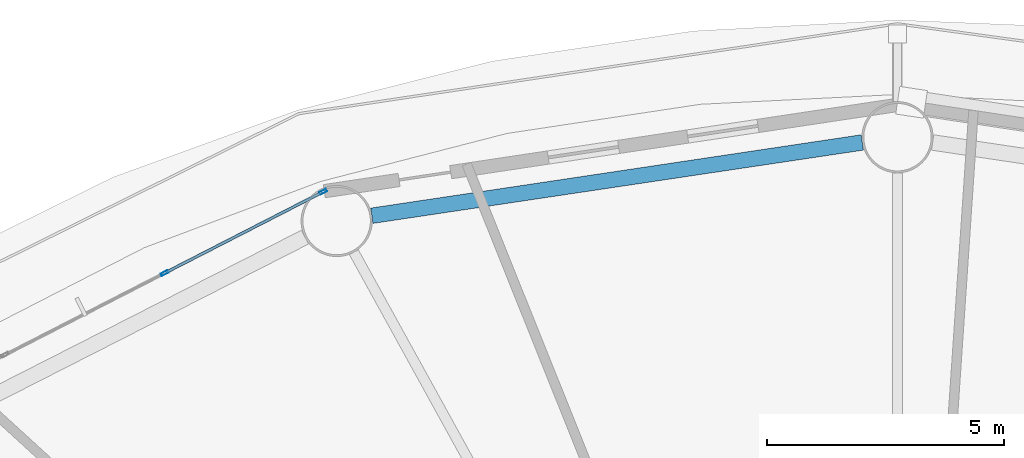
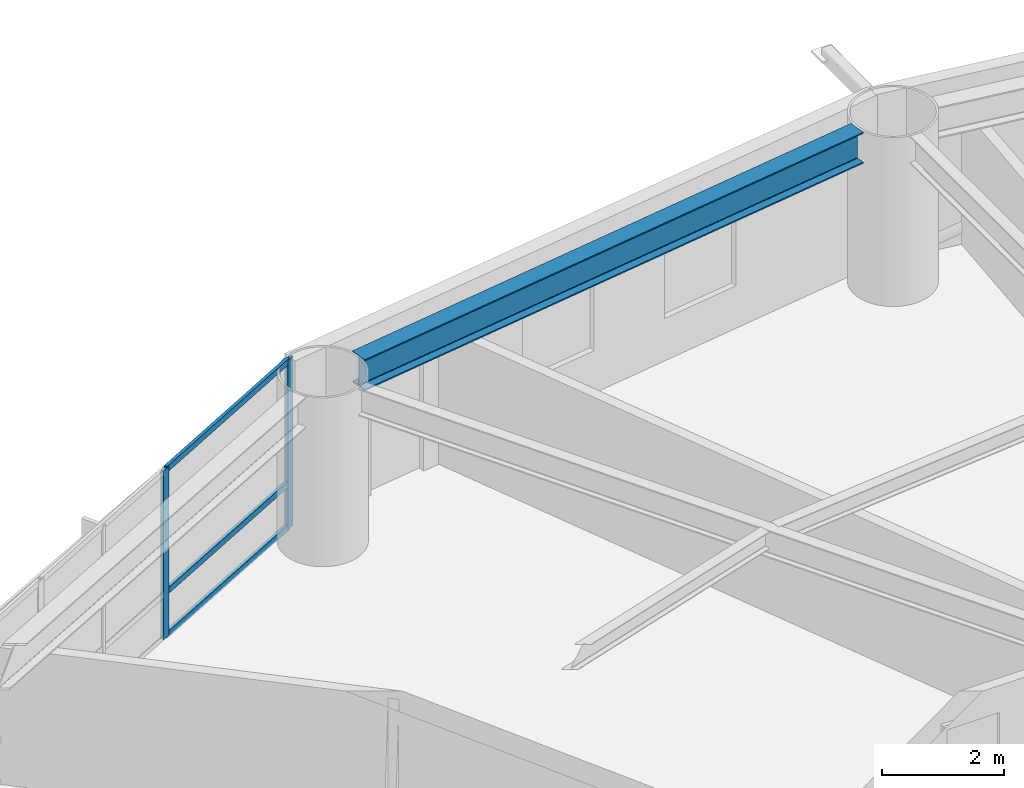
# One storey, part 12 of 26: 5 members, 1 beam, 1 element without a shape of its own.
"""IFC4 building model written with IfcOpenShell, lengths in metres."""

from ifc_helpers import new_model, si_unit, direction, frame, origin, origin_2d, place, context, subcontext, project, spatial, hollow_rectangle, i_section, extrude, material, layer, layer_set, material_profile, profile_set, type_object, element, aggregate, save


model = new_model("IFC4")

# Units and contexts
model_context = context("Model", 3, precision=1e-05, world=origin(), true_north=direction((0.0, 1.0)))
body_context = subcontext(model_context, "Body", "Model", "MODEL_VIEW")
ifc_project = project(units=[si_unit("LENGTHUNIT", "METRE"), si_unit("AREAUNIT", "SQUARE_METRE"), si_unit("VOLUMEUNIT", "CUBIC_METRE"), si_unit("PLANEANGLEUNIT", "RADIAN"), si_unit("MASSUNIT", "GRAM", prefix="KILO")], contexts=[model_context])

# Site, building, storey
site_placement = place(None, origin())
site = spatial("IfcSite", under=ifc_project, at=site_placement, CompositionType="ELEMENT")
building_placement = place(site_placement, origin())
building = spatial("IfcBuilding", under=site, at=building_placement, Name="Sarneth Arch Tower", CompositionType="ELEMENT")
storey_placement = place(building_placement, frame((0.0, 0.0, 64.199951171875)))
storey = spatial("IfcBuildingStorey", under=building, at=storey_placement, Name="L15", CompositionType="ELEMENT", Elevation=64.199951171875)

# Beam
ifc_material_1 = material(Name="Steel S355", Category="steel")
ifc_material_profile_1 = material_profile(ifc_material_1, i_section(OverallWidth=0.326904296875, OverallDepth=0.6220703125, WebThickness=0.015380859375, FlangeThickness=0.0244140625, FilletRadius=0.01904296875, at=origin_2d()), Name="W610x195")
ifc_profile_set_1 = profile_set([ifc_material_profile_1], Name="Steel S355")
beam_type = type_object("IfcBeamType", Name="BM-SPAN-610A", PredefinedType="SPANDREL", material=ifc_profile_set_1)
beam_placement = place(storey_placement, frame((47.25830078125, 65.089111328125, 3.069091796875), z_axis=(-0.989020169581, -0.147780594675, 0.0), x_axis=(0.147780594675, -0.989020169581, 0.0)))
element("IfcBeam", 1, at=beam_placement, inside=storey, type_object=beam_type, Name="L15 Perimeter spandrel beam 05", PredefinedType="SPANDREL", context=body_context, shape_type="SweptSolid", body=[
    extrude(i_section(OverallWidth=0.326904296875, OverallDepth=0.6220703125, WebThickness=0.015380859375, FlangeThickness=0.0244140625, FilletRadius=0.01904296875, at=origin_2d()), origin(), (0.0, 0.0, 1.0), 10.44921875),
])

# Curtain wall, members
ifc_material_2 = material(Name="Anodised aluminium Type AA25 and solar-control low-e laminated IGU", Category="aluminium")
ifc_layer = layer(ifc_material_2, 0.159912109375)
ifc_layer_set = layer_set([ifc_layer], Name="Anodised aluminium Type AA25 and solar-control low-e laminated IGU")
curtain_wall_type = type_object("IfcCurtainWallType", Name="CW-HOTEL-LOW", PredefinedType="NOTDEFINED", material=ifc_layer_set)
curtain_wall_placement = place(storey_placement, origin())
curtain_wall = element("IfcCurtainWall", 2, at=curtain_wall_placement, inside=storey, type_object=curtain_wall_type, Name="L15 Unitised curtain wall facet 06", PredefinedType="NOTDEFINED")
ifc_material_3 = material(Name="Anodised Aluminium 6063-T6", Category="aluminium")
ifc_material_profile_2 = material_profile(ifc_material_3, hollow_rectangle(XDim=0.06005859375, YDim=0.159912109375, WallThickness=0.00390625, at=origin_2d()), Name="AL-MULL-160x60x4")
ifc_profile_set_2 = profile_set([ifc_material_profile_2], Name="Anodised Aluminium 6063-T6")
member_type_1 = type_object("IfcMemberType", Name="CW-MULLION", PredefinedType="MULLION", material=ifc_profile_set_2)
member_1_placement = place(storey_placement, frame((35.8955078125, 64.048583984375, 0.0), z_axis=(0.0, 0.0, 1.0), x_axis=(0.456245197127, -0.889854100456, 0.0)))
member_1 = element("IfcMember", 3, at=member_1_placement, type_object=member_type_1, Name="CW-SYS-3 mullion 1", PredefinedType="MULLION", context=body_context, shape_type="SweptSolid", body=[
    extrude(hollow_rectangle(XDim=0.06005859375, YDim=0.159912109375, WallThickness=0.00390625, at=origin_2d()), origin(), (0.0, 0.0, 1.0), 3.380126953125),
])
member_2_placement = place(storey_placement, frame((32.556640625, 62.336669921875, 0.0), z_axis=(0.0, 0.0, 1.0), x_axis=(0.456245197127, -0.889854100456, 0.0)))
member_2 = element("IfcMember", 4, at=member_2_placement, type_object=member_type_1, Name="CW-SYS-3 mullion 2", PredefinedType="MULLION", context=body_context, shape_type="SweptSolid", body=[
    extrude(hollow_rectangle(XDim=0.06005859375, YDim=0.159912109375, WallThickness=0.00390625, at=origin_2d()), origin(), (0.0, 0.0, 1.0), 3.380126953125),
])
ifc_material_4 = material(Name="Anodised Aluminium 6063-T6", Category="aluminium")
ifc_material_profile_3 = material_profile(ifc_material_4, hollow_rectangle(XDim=0.06005859375, YDim=0.1201171875, WallThickness=0.00390625, at=origin_2d()), Name="AL-TRAN-120x60x4")
ifc_profile_set_3 = profile_set([ifc_material_profile_3], Name="Anodised Aluminium 6063-T6")
member_type_2 = type_object("IfcMemberType", Name="CW-TRANSOM", PredefinedType="USERDEFINED", material=ifc_profile_set_3)
member_3_placement = place(storey_placement, frame((35.86865234375, 64.034912109375, 0.030029296875), z_axis=(-0.889831232102, -0.456289796485, 0.0), x_axis=(0.456289796485, -0.889831232102, 0.0)))
member_3 = element("IfcMember", 5, at=member_3_placement, type_object=member_type_2, Name="CW-SYS-3 transom 1.1", ObjectType="TRANSOM", PredefinedType="USERDEFINED", context=body_context, shape_type="SweptSolid", body=[
    extrude(hollow_rectangle(XDim=0.06005859375, YDim=0.1201171875, WallThickness=0.00390625, at=origin_2d()), origin(), (0.0, 0.0, 1.0), 3.69189453125),
])
member_4_placement = place(storey_placement, frame((35.86865234375, 64.034912109375, 0.900146484375), z_axis=(-0.889831232102, -0.456289796485, 0.0), x_axis=(0.456289796485, -0.889831232102, 0.0)))
member_4 = element("IfcMember", 6, at=member_4_placement, type_object=member_type_2, Name="CW-SYS-3 transom 1.2", ObjectType="TRANSOM", PredefinedType="USERDEFINED", context=body_context, shape_type="SweptSolid", body=[
    extrude(hollow_rectangle(XDim=0.06005859375, YDim=0.1201171875, WallThickness=0.00390625, at=origin_2d()), origin(), (0.0, 0.0, 1.0), 3.69189453125),
])
member_5_placement = place(storey_placement, frame((35.86865234375, 64.034912109375, 3.35009765625), z_axis=(-0.889831232102, -0.456289796485, 0.0), x_axis=(0.456289796485, -0.889831232102, 0.0)))
member_5 = element("IfcMember", 7, at=member_5_placement, type_object=member_type_2, Name="CW-SYS-3 transom 1.3", ObjectType="TRANSOM", PredefinedType="USERDEFINED", context=body_context, shape_type="SweptSolid", body=[
    extrude(hollow_rectangle(XDim=0.06005859375, YDim=0.1201171875, WallThickness=0.00390625, at=origin_2d()), origin(), (0.0, 0.0, 1.0), 3.69189453125),
])
aggregate(curtain_wall, [member_1, member_2, member_3, member_4, member_5])

save(model, "model.ifc")
